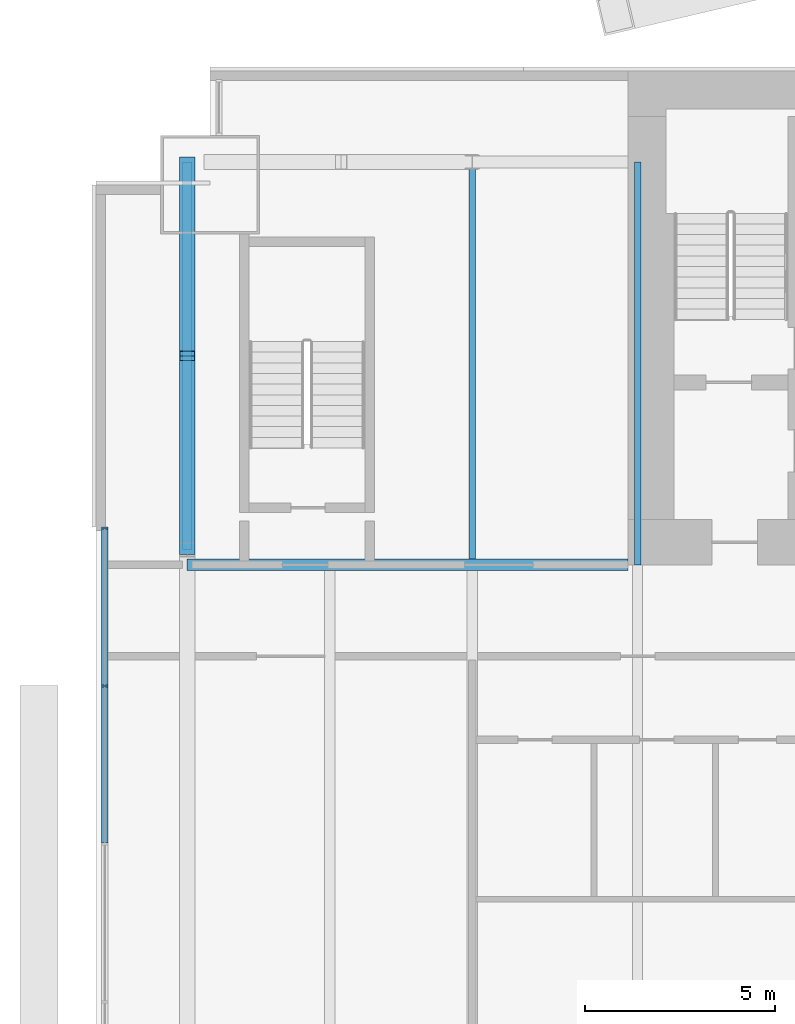
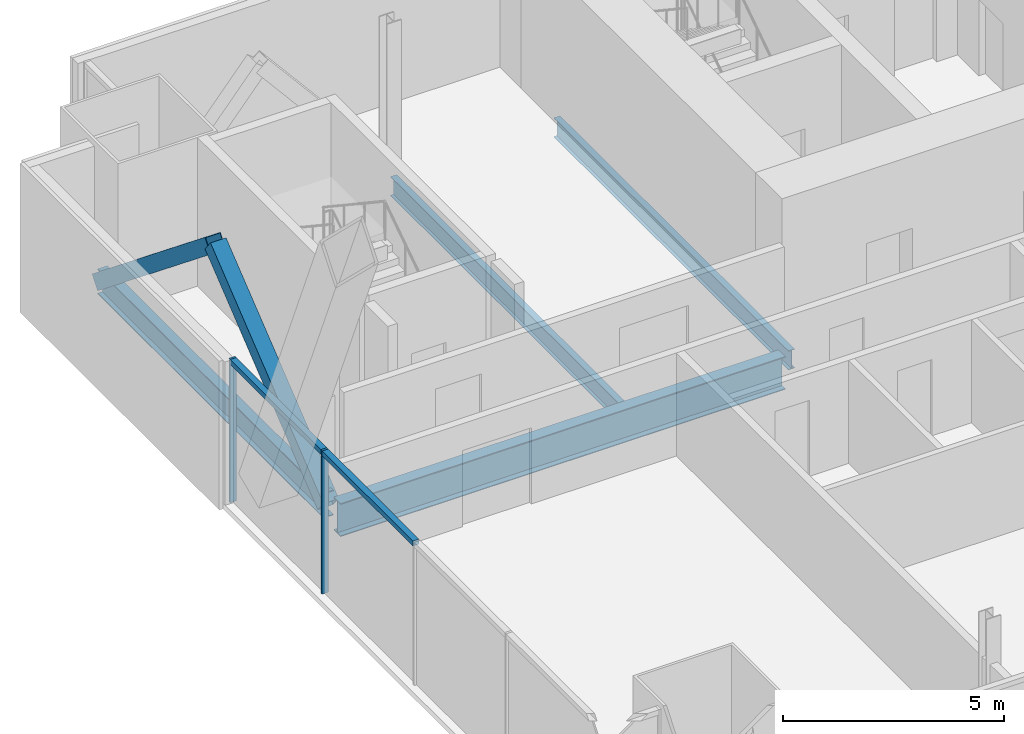
# One storey, part 9 of 24: 6 members, 4 beams, 1 element without a shape of its own.
"""IFC4 building model written with IfcOpenShell, lengths in metres."""

from ifc_helpers import new_model, si_unit, direction, frame, origin, origin_2d, place, context, subcontext, project, spatial, rectangle, hollow_rectangle, i_section, extrude, material, material_profile, profile_set, type_object, element, aggregate, save


model = new_model("IFC4")

# Units and contexts
model_context = context("Model", 3, precision=1e-05, world=origin(), true_north=direction((0.0, 1.0)))
body_context = subcontext(model_context, "Body", "Model", "MODEL_VIEW")
ifc_project = project(units=[si_unit("LENGTHUNIT", "METRE"), si_unit("AREAUNIT", "SQUARE_METRE"), si_unit("VOLUMEUNIT", "CUBIC_METRE"), si_unit("PLANEANGLEUNIT", "RADIAN"), si_unit("MASSUNIT", "GRAM", prefix="KILO")], contexts=[model_context])

# Site, building, storey
site_placement = place(None, origin())
site = spatial("IfcSite", under=ifc_project, at=site_placement, CompositionType="ELEMENT")
building_placement = place(site_placement, origin())
building = spatial("IfcBuilding", under=site, at=building_placement, Name="Bicima Exchange Tower", CompositionType="ELEMENT")
storey_placement = place(building_placement, frame((0.0, 0.0, 211.39990234375)))
storey = spatial("IfcBuildingStorey", under=building, at=storey_placement, Name="L47", CompositionType="ELEMENT", Elevation=211.39990234375)

# Beam
ifc_material_1 = material(Name="Steel ASTM A992 Gr 50", Category="steel")
ifc_material_profile_1 = material_profile(ifc_material_1, i_section(OverallWidth=0.3046875, OverallDepth=0.911865234375, WebThickness=0.015869140625, FlangeThickness=0.02392578125, at=origin_2d()))
ifc_profile_set_1 = profile_set([ifc_material_profile_1], Name="Steel ASTM A992 Gr 50")
beam_type_1 = type_object("IfcBeamType", Name="Core-line girder W36x150", PredefinedType="BEAM", material=ifc_profile_set_1)
beam_1_placement = place(storey_placement, frame((-22.0, -13.0, -0.605712890625), z_axis=(-1.0, 0.0, 0.0), x_axis=(0.0, -1.0, 0.0)))
element("IfcBeam", 1, at=beam_1_placement, inside=storey, type_object=beam_type_1, Name="Core-line girder", PredefinedType="BEAM", context=body_context, shape_type="SweptSolid", body=[
    extrude(i_section(OverallWidth=0.3046875, OverallDepth=0.911865234375, WebThickness=0.015869140625, FlangeThickness=0.02392578125, at=origin_2d()), origin(), (0.0, 0.0, 1.0), 11.60009765625),
])

# Curtain wall, members
ifc_material_2 = material(Name="Anodised bronze aluminium", Category="aluminium")
curtain_wall_type = type_object("IfcCurtainWallType", Name="End face glass wall", PredefinedType="NOTDEFINED", material=ifc_material_2)
curtain_wall_placement = place(storey_placement, origin())
curtain_wall = element("IfcCurtainWall", 2, at=curtain_wall_placement, inside=storey, type_object=curtain_wall_type, Name="End face glass wall L47 run 2", PredefinedType="NOTDEFINED")
ifc_material_profile_2 = material_profile(ifc_material_2, rectangle(XDim=0.159912109375, YDim=0.06005859375, at=origin_2d()))
ifc_profile_set_2 = profile_set([ifc_material_profile_2], Name="Anodised bronze aluminium")
member_type_1 = type_object("IfcMemberType", Name="End face glass wall mullion 60 x 160", PredefinedType="MULLION", material=ifc_profile_set_2)
member_1_placement = place(storey_placement, frame((-35.77001953125, -12.030029296875, 0.0), z_axis=(0.0, 0.0, 1.0), x_axis=(1.0, 0.0, 0.0)))
member_1 = element("IfcMember", 3, at=member_1_placement, type_object=member_type_1, Name="End face glass wall mullion 1", PredefinedType="MULLION", context=body_context, shape_type="SweptSolid", body=[
    extrude(rectangle(XDim=0.159912109375, YDim=0.06005859375, at=origin_2d()), origin(), (0.0, 0.0, 1.0), 3.9501953125),
])
member_2_placement = place(storey_placement, frame((-35.77001953125, -16.1865234375, 0.0), z_axis=(0.0, 0.0, 1.0), x_axis=(1.0, 0.0, 0.0)))
member_2 = element("IfcMember", 4, at=member_2_placement, type_object=member_type_1, Name="End face glass wall mullion 2", PredefinedType="MULLION", context=body_context, shape_type="SweptSolid", body=[
    extrude(rectangle(XDim=0.159912109375, YDim=0.06005859375, at=origin_2d()), origin(), (0.0, 0.0, 1.0), 3.9501953125),
])
ifc_material_profile_3 = material_profile(ifc_material_2, rectangle(XDim=0.159912109375, YDim=0.139892578125, at=origin_2d()))
ifc_profile_set_3 = profile_set([ifc_material_profile_3], Name="Anodised bronze aluminium")
member_type_2 = type_object("IfcMemberType", Name="End face glass wall transom 140 x 160", PredefinedType="USERDEFINED", material=ifc_profile_set_3)
member_3_placement = place(storey_placement, frame((-35.77001953125, -12.06005859375, 3.880126953125), z_axis=(0.0, -1.0, 0.0), x_axis=(1.0, 0.0, 0.0)))
member_3 = element("IfcMember", 5, at=member_3_placement, type_object=member_type_2, Name="End face glass wall transom 1.1", ObjectType="TRANSOM", PredefinedType="USERDEFINED", context=body_context, shape_type="SweptSolid", body=[
    extrude(rectangle(XDim=0.159912109375, YDim=0.139892578125, at=origin_2d()), origin(), (0.0, 0.0, 1.0), 4.096435546875),
])
member_4_placement = place(storey_placement, frame((-35.77001953125, -16.216552734375, 3.880126953125), z_axis=(0.0, -1.0, 0.0), x_axis=(1.0, 0.0, 0.0)))
member_4 = element("IfcMember", 6, at=member_4_placement, type_object=member_type_2, Name="End face glass wall transom 2.1", ObjectType="TRANSOM", PredefinedType="USERDEFINED", context=body_context, shape_type="SweptSolid", body=[
    extrude(rectangle(XDim=0.159912109375, YDim=0.139892578125, at=origin_2d()), origin(), (0.0, 0.0, 1.0), 4.096435546875),
])
aggregate(curtain_wall, [member_1, member_2, member_3, member_4])

# Beams
ifc_material_profile_4 = material_profile(ifc_material_1, i_section(OverallWidth=0.256591796875, OverallDepth=0.693359375, WebThickness=0.014404296875, FlangeThickness=0.023681640625, at=origin_2d()))
ifc_profile_set_4 = profile_set([ifc_material_profile_4], Name="Steel ASTM A992 Gr 50")
beam_type_2 = type_object("IfcBeamType", Name="End girder W27x114", PredefinedType="BEAM", material=ifc_profile_set_4)
beam_2_placement = place(storey_placement, frame((-33.60009765625, -2.39990234375, -0.49658203125), z_axis=(0.0, -1.0, 0.0), x_axis=(1.0, 0.0, 0.0)))
element("IfcBeam", 7, at=beam_2_placement, inside=storey, type_object=beam_type_2, Name="End girder", PredefinedType="BEAM", context=body_context, shape_type="SweptSolid", body=[
    extrude(i_section(OverallWidth=0.256591796875, OverallDepth=0.693359375, WebThickness=0.014404296875, FlangeThickness=0.023681640625, at=origin_2d()), origin(), (0.0, 0.0, 1.0), 10.2001953125),
])
ifc_material_profile_5 = material_profile(ifc_material_1, i_section(OverallWidth=0.165771484375, OverallDepth=0.5283203125, WebThickness=0.009765625, FlangeThickness=0.013671875, at=origin_2d()))
ifc_profile_set_5 = profile_set([ifc_material_profile_5], Name="Steel ASTM A992 Gr 50")
beam_type_3 = type_object("IfcBeamType", Name="Floor beam W21x50", PredefinedType="JOIST", material=ifc_profile_set_5)
beam_3_placement = place(storey_placement, frame((-26.10009765625, -2.5625, -0.4140625), z_axis=(0.0, -1.0, 0.0), x_axis=(1.0, 0.0, 0.0)))
element("IfcBeam", 8, at=beam_3_placement, inside=storey, type_object=beam_type_3, Name="Floor beam", PredefinedType="JOIST", context=body_context, shape_type="SweptSolid", body=[
    extrude(i_section(OverallWidth=0.165771484375, OverallDepth=0.5283203125, WebThickness=0.009765625, FlangeThickness=0.013671875, at=origin_2d()), origin(), (0.0, 0.0, 1.0), 10.28515625),
])
beam_4_placement = place(storey_placement, frame((-21.75, -2.39990234375, -0.4140625), z_axis=(0.0, -1.0, 0.0), x_axis=(1.0, 0.0, 0.0)))
element("IfcBeam", 9, at=beam_4_placement, inside=storey, type_object=beam_type_3, Name="Floor beam", PredefinedType="JOIST", context=body_context, shape_type="SweptSolid", body=[
    extrude(i_section(OverallWidth=0.165771484375, OverallDepth=0.5283203125, WebThickness=0.009765625, FlangeThickness=0.013671875, at=origin_2d()), origin(), (0.0, 0.0, 1.0), 10.60009765625),
])

# Members
ifc_material_3 = material(Name="Steel ASTM A572 Gr 50", Category="steel")
ifc_material_profile_6 = material_profile(ifc_material_3, hollow_rectangle(XDim=0.406494140625, YDim=0.406494140625, WallThickness=0.0146484375, at=origin_2d()))
ifc_profile_set_6 = profile_set([ifc_material_profile_6], Name="Steel ASTM A572 Gr 50")
member_type_3 = type_object("IfcMemberType", Name="Mega brace HSS16x16x5/8", PredefinedType="BRACE", material=ifc_profile_set_6)
for number, where, z_axis, x_axis, name in (
    (10, (-33.60009765625, -2.39990234375, -0.49658203125), (0.0, -0.779374241895, 0.626558689247), (1.0, 0.0, 0.0), "Mega brace west end"),
    (11, (-33.60009765625, -12.60009765625, -0.49658203125), (0.0, 0.779374241895, 0.626558689247), (-1.0, 0.0, 0.0), "Mega brace west end"),
):
    element("IfcMember", number, at=place(storey_placement, frame(where, z_axis=z_axis, x_axis=x_axis)), inside=storey, type_object=member_type_3, Name=name, PredefinedType="BRACE", context=body_context, shape_type="SweptSolid", body=[
        extrude(hollow_rectangle(XDim=0.406494140625, YDim=0.406494140625, WallThickness=0.0146484375, at=origin_2d()), origin(), (0.0, 0.0, 1.0), 6.5439453125),
    ])

save(model, "model.ifc")
